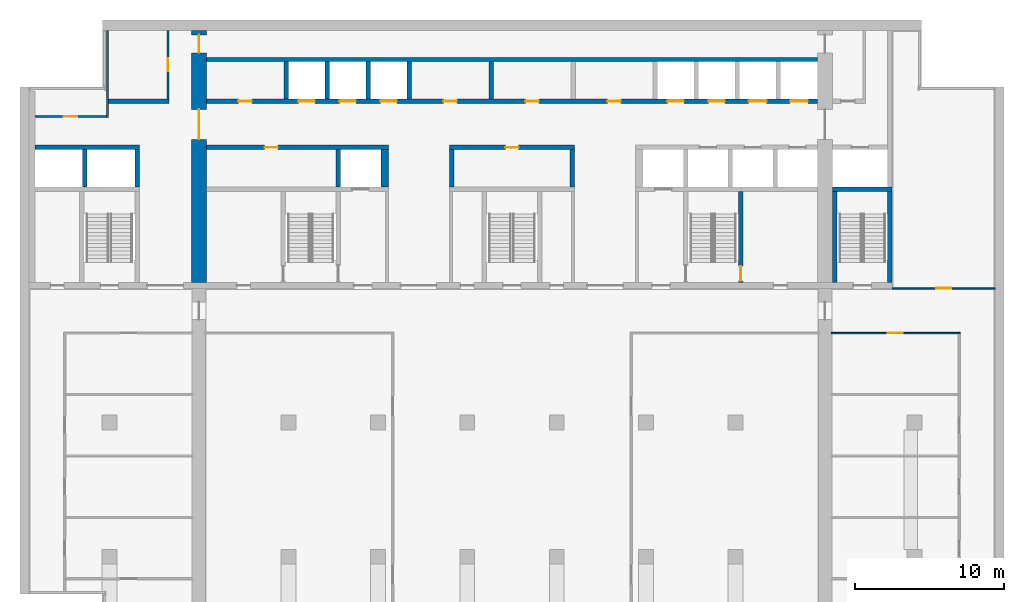
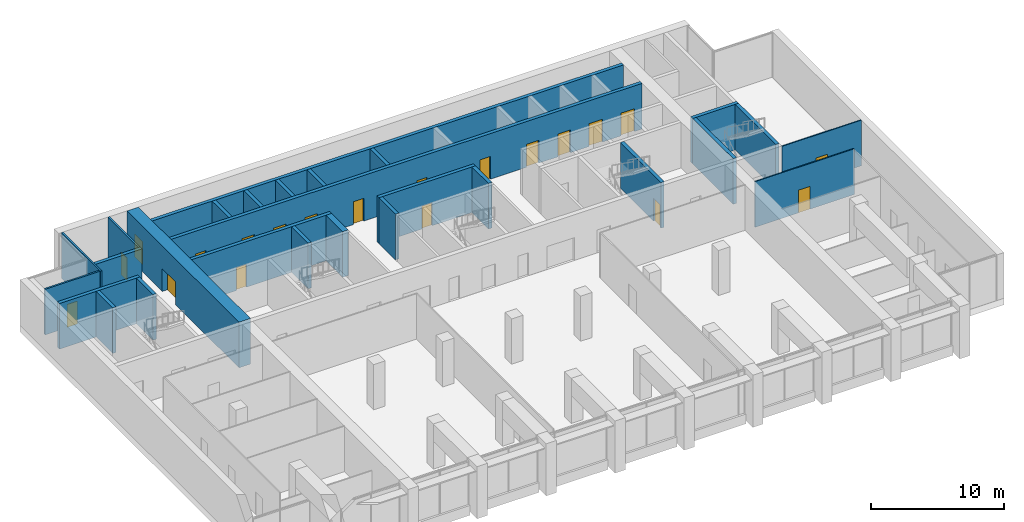
# One storey, part 8 of 13: 27 walls, 20 doors, 20 openings.
"""IFC4 building model written with IfcOpenShell, lengths in metres."""

from ifc_helpers import new_model, si_unit, direction, frame, frame_2d, origin, place, context, subcontext, project, spatial, rectangle, extrude, material, layer, layer_set, type_object, element, fill, save


model = new_model("IFC4")

# Units and contexts
model_context = context("Model", 3, precision=1e-05, world=origin(), true_north=direction((0.0, 1.0)))
body_context = subcontext(model_context, "Body", "Model", "MODEL_VIEW")
ifc_project = project(units=[si_unit("LENGTHUNIT", "METRE"), si_unit("AREAUNIT", "SQUARE_METRE"), si_unit("VOLUMEUNIT", "CUBIC_METRE"), si_unit("PLANEANGLEUNIT", "RADIAN"), si_unit("MASSUNIT", "GRAM", prefix="KILO")], contexts=[model_context])

# Site, building, storey
site_placement = place(None, origin())
site = spatial("IfcSite", under=ifc_project, at=site_placement, CompositionType="ELEMENT")
building_placement = place(site_placement, origin())
building = spatial("IfcBuilding", under=site, at=building_placement, Name="Calvaro Tower", CompositionType="ELEMENT")
storey_placement = place(building_placement, frame((0.0, 0.0, 226.75)))
storey = spatial("IfcBuildingStorey", under=building, at=storey_placement, Name="L57", CompositionType="ELEMENT", Elevation=226.75)

# Wall, opening, door
ifc_material_1 = material(Name="Blockwork partition", Category="masonry")
ifc_layer_1 = layer(ifc_material_1, 0.14990234375)
ifc_layer_set_1 = layer_set([ifc_layer_1], Name="Blockwork partition")
wall_type_1 = type_object("IfcWallType", Name="Core partition 150 REI 120", PredefinedType="PARTITIONING", material=ifc_layer_set_1)
wall_1_placement = place(storey_placement, frame((15.925048828125, 45.300048828125, 0.0), z_axis=(0.0, 0.0, 1.0), x_axis=(0.0, -1.0, 0.0)))
wall_1 = element("IfcWall", 1, at=wall_1_placement, inside=storey, type_object=wall_type_1, Name="Core partition", PredefinedType="PARTITIONING", context=body_context, shape_type="SweptSolid", body=[
    extrude(rectangle(XDim=4.60009765625, YDim=0.14990234375, at=frame_2d((2.300048828125, 0.0))), origin(), (0.0, 0.0, 1.0), 4.199951171875),
])
opening_1_placement = place(wall_1_placement, frame((1.85009765625, 0.0, 0.0)))
opening_1 = element("IfcOpeningElement", 2, at=opening_1_placement, cuts=wall_1, Name="Opening RD9E", PredefinedType="OPENING", context=body_context, shape_type="SweptSolid", body=[
    extrude(rectangle(XDim=0.89990234375, YDim=2.10009765625, at=frame_2d((0.449951171875, 1.050048828125))), frame((0.0, 0.0849609375, 0.0), z_axis=(0.0, -1.0, 0.0), x_axis=(1.0, 0.0, 0.0)), (0.0, 0.0, 1.0), 0.169921875),
])
ifc_material_2 = material(Name="Steel door set", Category="steel")
door_type_1 = type_object("IfcDoorType", Name="Room door 900 FD60", OperationType="SINGLE_SWING_LEFT", PredefinedType="DOOR", material=ifc_material_2)
door_1_placement = place(opening_1_placement, origin())
door_1 = element("IfcDoor", 3, at=door_1_placement, inside=storey, type_object=door_type_1, Name="Room door", OperationType="SINGLE_SWING_RIGHT", OverallHeight=2.10009765625, OverallWidth=0.89990234375, PredefinedType="DOOR", context=body_context, shape_type="SweptSolid", body=[
    extrude(rectangle(XDim=0.89990234375, YDim=2.10009765625, at=frame_2d((0.449951171875, 1.050048828125))), frame((0.0, 0.02490234375, 0.0), z_axis=(0.0, -1.0, 0.0), x_axis=(1.0, 0.0, 0.0)), (0.0, 0.0, 1.0), 0.050048828125),
])
fill(opening_1, door_1)

# Wall
wall_2_placement = place(storey_placement, frame((11.875, 39.449951171875, 0.0), z_axis=(0.0, 0.0, 1.0), x_axis=(0.0, 1.0, 0.0)))
element("IfcWall", 4, at=wall_2_placement, inside=storey, type_object=wall_type_1, Name="Core partition", PredefinedType="PARTITIONING", context=body_context, shape_type="SweptSolid", body=[
    extrude(rectangle(XDim=5.85009765625, YDim=0.14990234375, at=frame_2d((2.925048828125, 0.0))), origin(), (0.0, 0.0, 1.0), 4.199951171875),
])

# Wall, opening, door
wall_3_placement = place(storey_placement, frame((7.0, 39.52490234375, 0.0), z_axis=(0.0, 0.0, 1.0), x_axis=(1.0, 0.0, 0.0)))
wall_3 = element("IfcWall", 5, at=wall_3_placement, inside=storey, type_object=wall_type_1, Name="Core partition", PredefinedType="PARTITIONING", context=body_context, shape_type="SweptSolid", body=[
    extrude(rectangle(XDim=4.800048828125, YDim=0.14990234375, at=frame_2d((2.39990234375, 0.0))), origin(), (0.0, 0.0, 1.0), 4.199951171875),
])
opening_2_placement = place(wall_3_placement, frame((1.949951171875, 0.0, 0.0)))
opening_2 = element("IfcOpeningElement", 6, at=opening_2_placement, cuts=wall_3, Name="Opening RD9E", PredefinedType="OPENING", context=body_context, shape_type="SweptSolid", body=[
    extrude(rectangle(XDim=0.89990234375, YDim=2.10009765625, at=frame_2d((0.449951171875, 1.050048828125))), frame((0.0, 0.0849609375, 0.0), z_axis=(0.0, -1.0, 0.0), x_axis=(1.0, 0.0, 0.0)), (0.0, 0.0, 1.0), 0.169921875),
])
door_2_placement = place(opening_2_placement, origin())
door_2 = element("IfcDoor", 7, at=door_2_placement, inside=storey, type_object=door_type_1, Name="Room door", OperationType="SINGLE_SWING_LEFT", OverallHeight=2.10009765625, OverallWidth=0.89990234375, PredefinedType="DOOR", context=body_context, shape_type="SweptSolid", body=[
    extrude(rectangle(XDim=0.89990234375, YDim=2.10009765625, at=frame_2d((0.449951171875, 1.050048828125))), frame((0.0, 0.02490234375, 0.0), z_axis=(0.0, -1.0, 0.0), x_axis=(1.0, 0.0, 0.0)), (0.0, 0.0, 1.0), 0.050048828125),
])
fill(opening_2, door_2)

# Walls
ifc_material_3 = material(Name="Blockwork partition", Category="masonry")
ifc_layer_2 = layer(ifc_material_3, 0.300048828125)
ifc_layer_set_2 = layer_set([ifc_layer_2], Name="Blockwork partition")
wall_type_2 = type_object("IfcWallType", Name="Core partition 300 REI 120", PredefinedType="PARTITIONING", material=ifc_layer_set_2)
wall_4_placement = place(storey_placement, frame((11.949951171875, 40.550048828125, 0.0), z_axis=(0.0, 0.0, 1.0), x_axis=(1.0, 0.0, 0.0)))
element("IfcWall", 8, at=wall_4_placement, inside=storey, type_object=wall_type_2, Name="Core partition", PredefinedType="PARTITIONING", context=body_context, shape_type="SweptSolid", body=[
    extrude(rectangle(XDim=4.050048828125, YDim=0.300048828125, at=frame_2d((2.02490234375, 0.0))), origin(), (0.0, 0.0, 1.0), 4.199951171875),
])
wall_5_placement = place(storey_placement, frame((37.60009765625, 40.699951171875, 0.0), z_axis=(0.0, 0.0, 1.0), x_axis=(0.0, 1.0, 0.0)))
element("IfcWall", 9, at=wall_5_placement, inside=storey, type_object=wall_type_2, Name="Core partition", PredefinedType="PARTITIONING", context=body_context, shape_type="SweptSolid", body=[
    extrude(rectangle(XDim=2.5, YDim=0.300048828125, at=frame_2d((1.25, 0.0))), origin(), (0.0, 0.0, 1.0), 4.199951171875),
])

# Wall, openings, doors
ifc_material_4 = material(Name="Concrete C50/60", Category="concrete")
ifc_layer_3 = layer(ifc_material_4, 1.0)
ifc_layer_set_3 = layer_set([ifc_layer_3], Name="Concrete C50/60")
wall_type_3 = type_object("IfcWallType", Name="Core wall C50/60 1000", PredefinedType="SHEAR", material=ifc_layer_set_3)
wall_6_placement = place(storey_placement, frame((18.0, 28.39990234375, 0.0), z_axis=(0.0, 0.0, 1.0), x_axis=(0.0, 1.0, 0.0)))
wall_6 = element("IfcWall", 10, at=wall_6_placement, inside=storey, type_object=wall_type_3, Name="Core wall, cross shear wall", PredefinedType="SHEAR", context=body_context, shape_type="SweptSolid", body=[
    extrude(rectangle(XDim=16.900146484375, YDim=1.0, at=frame_2d((8.4501953125, 0.0))), origin(), (0.0, 0.0, 1.0), 4.199951171875),
])
opening_3_placement = place(wall_6_placement, frame((9.60009765625, 0.0, 0.0)))
opening_3 = element("IfcOpeningElement", 11, at=opening_3_placement, cuts=wall_6, Name="Opening DD20D", PredefinedType="OPENING", context=body_context, shape_type="SweptSolid", body=[
    extrude(rectangle(XDim=2.0, YDim=2.10009765625, at=frame_2d((1.0, 1.050048828125))), frame((0.0, 0.510009765625, 0.0), z_axis=(0.0, -1.0, 0.0), x_axis=(1.0, 0.0, 0.0)), (0.0, 0.0, 1.0), 1.02001953125),
])
opening_4_placement = place(wall_6_placement, frame((15.39990234375, 0.0, 0.0)))
opening_4 = element("IfcOpeningElement", 12, at=opening_4_placement, cuts=wall_6, Name="Opening FD12C", PredefinedType="OPENING", context=body_context, shape_type="SweptSolid", body=[
    extrude(rectangle(XDim=1.199951171875, YDim=2.10009765625, at=frame_2d((0.60009765625, 1.050048828125))), frame((0.0, 0.510009765625, 0.0), z_axis=(0.0, -1.0, 0.0), x_axis=(1.0, 0.0, 0.0)), (0.0, 0.0, 1.0), 1.02001953125),
])
ifc_material_5 = material(Name="Steel door set", Category="steel")
door_type_2 = type_object("IfcDoorType", Name="Fire door 1200 FD30", OperationType="SINGLE_SWING_LEFT", PredefinedType="DOOR", material=ifc_material_5)
door_3_placement = place(opening_4_placement, origin())
door_3 = element("IfcDoor", 13, at=door_3_placement, inside=storey, type_object=door_type_2, Name="Fire door", OperationType="SINGLE_SWING_LEFT", OverallHeight=2.10009765625, OverallWidth=1.199951171875, PredefinedType="DOOR", context=body_context, shape_type="SweptSolid", body=[
    extrude(rectangle(XDim=1.199951171875, YDim=2.10009765625, at=frame_2d((0.60009765625, 1.050048828125))), frame((0.0, 0.02490234375, 0.0), z_axis=(0.0, -1.0, 0.0), x_axis=(1.0, 0.0, 0.0)), (0.0, 0.0, 1.0), 0.050048828125),
])
fill(opening_4, door_3)
ifc_material_6 = material(Name="Steel door set", Category="steel")
door_type_3 = type_object("IfcDoorType", Name="Lobby double door 2000 FD30S", OperationType="DOUBLE_DOOR_SINGLE_SWING", PredefinedType="DOOR", material=ifc_material_6)
door_4_placement = place(opening_3_placement, origin())
door_4 = element("IfcDoor", 14, at=door_4_placement, inside=storey, type_object=door_type_3, Name="Lobby double door", OperationType="DOUBLE_DOOR_SINGLE_SWING", OverallHeight=2.10009765625, OverallWidth=2.0, PredefinedType="DOOR", context=body_context, shape_type="SweptSolid", body=[
    extrude(rectangle(XDim=2.0, YDim=2.10009765625, at=frame_2d((1.0, 1.050048828125))), frame((0.0, 0.02490234375, 0.0), z_axis=(0.0, -1.0, 0.0), x_axis=(1.0, 0.0, 0.0)), (0.0, 0.0, 1.0), 0.050048828125),
])
fill(opening_3, door_4)

# Wall, opening, door
ifc_material_7 = material(Name="Concrete C50/60", Category="concrete")
ifc_layer_4 = layer(ifc_material_7, 0.300048828125)
ifc_layer_set_4 = layer_set([ifc_layer_4], Name="Concrete C50/60")
wall_type_4 = type_object("IfcWallType", Name="Core wall C50/60 300", PredefinedType="SHEAR", material=ifc_layer_set_4)
wall_7_placement = place(storey_placement, frame((54.35009765625, 28.39990234375, 0.0), z_axis=(0.0, 0.0, 1.0), x_axis=(0.0, 1.0, 0.0)))
wall_7 = element("IfcWall", 15, at=wall_7_placement, inside=storey, type_object=wall_type_4, Name="Core wall, stair enclosure", PredefinedType="SHEAR", context=body_context, shape_type="SweptSolid", body=[
    extrude(rectangle(XDim=6.10009765625, YDim=0.300048828125, at=frame_2d((3.050048828125, 0.0))), origin(), (0.0, 0.0, 1.0), 4.199951171875),
])
opening_5_placement = place(wall_7_placement, frame((0.10009765625, 0.0, 0.0)))
opening_5 = element("IfcOpeningElement", 16, at=opening_5_placement, cuts=wall_7, Name="Opening FD10D", PredefinedType="OPENING", context=body_context, shape_type="SweptSolid", body=[
    extrude(rectangle(XDim=1.0, YDim=2.10009765625, at=frame_2d((0.5, 1.050048828125))), frame((0.0, 0.159912109375, 0.0), z_axis=(0.0, -1.0, 0.0), x_axis=(1.0, 0.0, 0.0)), (0.0, 0.0, 1.0), 0.320068359375),
])
ifc_material_8 = material(Name="Steel door set", Category="steel")
door_type_4 = type_object("IfcDoorType", Name="Fire door 1000 FD30S", OperationType="SINGLE_SWING_LEFT", PredefinedType="DOOR", material=ifc_material_8)
door_5_placement = place(opening_5_placement, origin())
door_5 = element("IfcDoor", 17, at=door_5_placement, inside=storey, type_object=door_type_4, Name="Fire door", OperationType="SINGLE_SWING_LEFT", OverallHeight=2.10009765625, OverallWidth=1.0, PredefinedType="DOOR", context=body_context, shape_type="SweptSolid", body=[
    extrude(rectangle(XDim=1.0, YDim=2.10009765625, at=frame_2d((0.5, 1.050048828125))), frame((0.0, 0.02490234375, 0.0), z_axis=(0.0, -1.0, 0.0), x_axis=(1.0, 0.0, 0.0)), (0.0, 0.0, 1.0), 0.050048828125),
])
fill(opening_5, door_5)

# Walls
for number, where, z_axis, x_axis, name in (
    (18, (60.64990234375, 28.39990234375, 0.0), (0.0, 0.0, 1.0), (0.0, 1.0, 0.0), "Core wall, stair enclosure"),
    (19, (64.35009765625, 28.39990234375, 0.0), (0.0, 0.0, 1.0), (0.0, 1.0, 0.0), "Core wall, stair enclosure"),
):
    element("IfcWall", number, at=place(storey_placement, frame(where, z_axis=z_axis, x_axis=x_axis)), inside=storey, type_object=wall_type_4, Name=name, PredefinedType="SHEAR", context=body_context, shape_type="SweptSolid", body=[
        extrude(rectangle(XDim=6.10009765625, YDim=0.300048828125, at=frame_2d((3.050048828125, 0.0))), origin(), (0.0, 0.0, 1.0), 4.199951171875),
    ])
wall_8_placement = place(storey_placement, frame((60.5, 34.64990234375, 0.0), z_axis=(0.0, 0.0, 1.0), x_axis=(1.0, 0.0, 0.0)))
element("IfcWall", 20, at=wall_8_placement, inside=storey, type_object=wall_type_4, Name="Core wall, lift shaft", PredefinedType="SHEAR", context=body_context, shape_type="SweptSolid", body=[
    extrude(rectangle(XDim=4.0, YDim=0.300048828125, at=frame_2d((2.0, 0.0))), origin(), (0.0, 0.0, 1.0), 4.199951171875),
])
wall_9_placement = place(storey_placement, frame((7.0, 37.449951171875, 0.0), z_axis=(0.0, 0.0, 1.0), x_axis=(1.0, 0.0, 0.0)))
element("IfcWall", 21, at=wall_9_placement, inside=storey, type_object=wall_type_4, Name="Core wall, lift shaft", PredefinedType="SHEAR", context=body_context, shape_type="SweptSolid", body=[
    extrude(rectangle(XDim=7.0, YDim=0.300048828125, at=frame_2d((3.5, 0.0))), origin(), (0.0, 0.0, 1.0), 4.199951171875),
])

# Wall, opening, door
wall_10_placement = place(storey_placement, frame((30.699951171875, 37.449951171875, 0.0), z_axis=(0.0, 0.0, 1.0), x_axis=(-1.0, 0.0, 0.0)))
wall_10 = element("IfcWall", 22, at=wall_10_placement, inside=storey, type_object=wall_type_4, Name="Core wall, bay", PredefinedType="SHEAR", context=body_context, shape_type="SweptSolid", body=[
    extrude(rectangle(XDim=12.199951171875, YDim=0.300048828125, at=frame_2d((6.10009765625, 0.0))), origin(), (0.0, 0.0, 1.0), 4.199951171875),
])
opening_6_placement = place(wall_10_placement, frame((7.39990234375, 0.0, 0.0)))
opening_6 = element("IfcOpeningElement", 23, at=opening_6_placement, cuts=wall_10, Name="Opening RD9E", PredefinedType="OPENING", context=body_context, shape_type="SweptSolid", body=[
    extrude(rectangle(XDim=0.89990234375, YDim=2.10009765625, at=frame_2d((0.449951171875, 1.050048828125))), frame((0.0, 0.159912109375, 0.0), z_axis=(0.0, -1.0, 0.0), x_axis=(1.0, 0.0, 0.0)), (0.0, 0.0, 1.0), 0.320068359375),
])
door_6_placement = place(opening_6_placement, origin())
door_6 = element("IfcDoor", 24, at=door_6_placement, inside=storey, type_object=door_type_1, Name="Room door", OperationType="SINGLE_SWING_LEFT", OverallHeight=2.10009765625, OverallWidth=0.89990234375, PredefinedType="DOOR", context=body_context, shape_type="SweptSolid", body=[
    extrude(rectangle(XDim=0.89990234375, YDim=2.10009765625, at=frame_2d((0.449951171875, 1.050048828125))), frame((0.0, 0.02490234375, 0.0), z_axis=(0.0, -1.0, 0.0), x_axis=(1.0, 0.0, 0.0)), (0.0, 0.0, 1.0), 0.050048828125),
])
fill(opening_6, door_6)

wall_11_placement = place(storey_placement, frame((43.199951171875, 37.449951171875, 0.0), z_axis=(0.0, 0.0, 1.0), x_axis=(-1.0, 0.0, 0.0)))
wall_11 = element("IfcWall", 25, at=wall_11_placement, inside=storey, type_object=wall_type_4, Name="Core wall, bay", PredefinedType="SHEAR", context=body_context, shape_type="SweptSolid", body=[
    extrude(rectangle(XDim=8.39990234375, YDim=0.300048828125, at=frame_2d((4.199951171875, 0.0))), origin(), (0.0, 0.0, 1.0), 4.199951171875),
])
opening_7_placement = place(wall_11_placement, frame((3.75, 0.0, 0.0)))
opening_7 = element("IfcOpeningElement", 26, at=opening_7_placement, cuts=wall_11, Name="Opening RD9E", PredefinedType="OPENING", context=body_context, shape_type="SweptSolid", body=[
    extrude(rectangle(XDim=0.89990234375, YDim=2.10009765625, at=frame_2d((0.449951171875, 1.050048828125))), frame((0.0, 0.159912109375, 0.0), z_axis=(0.0, -1.0, 0.0), x_axis=(1.0, 0.0, 0.0)), (0.0, 0.0, 1.0), 0.320068359375),
])
door_7_placement = place(opening_7_placement, origin())
door_7 = element("IfcDoor", 27, at=door_7_placement, inside=storey, type_object=door_type_1, Name="Room door", OperationType="SINGLE_SWING_RIGHT", OverallHeight=2.10009765625, OverallWidth=0.89990234375, PredefinedType="DOOR", context=body_context, shape_type="SweptSolid", body=[
    extrude(rectangle(XDim=0.89990234375, YDim=2.10009765625, at=frame_2d((0.449951171875, 1.050048828125))), frame((0.0, 0.02490234375, 0.0), z_axis=(0.0, -1.0, 0.0), x_axis=(1.0, 0.0, 0.0)), (0.0, 0.0, 1.0), 0.050048828125),
])
fill(opening_7, door_7)

# Walls
for number, where, z_axis, x_axis, name in (
    (28, (27.35009765625, 34.800048828125, 0.0), (0.0, 0.0, 1.0), (0.0, 1.0, 0.0), "Core wall, lift shaft"),
    (29, (34.949951171875, 34.800048828125, 0.0), (0.0, 0.0, 1.0), (0.0, 1.0, 0.0), "Core wall, lift shaft"),
    (30, (43.050048828125, 34.800048828125, 0.0), (0.0, 0.0, 1.0), (0.0, 1.0, 0.0), "Core wall, lift shaft"),
    (31, (13.85009765625, 34.800048828125, 0.0), (0.0, 0.0, 1.0), (0.0, 1.0, 0.0), "Core wall, lift shaft"),
):
    element("IfcWall", number, at=place(storey_placement, frame(where, z_axis=z_axis, x_axis=x_axis)), inside=storey, type_object=wall_type_4, Name=name, PredefinedType="SHEAR", context=body_context, shape_type="SweptSolid", body=[
        extrude(rectangle(XDim=2.5, YDim=0.300048828125, at=frame_2d((1.25, 0.0))), origin(), (0.0, 0.0, 1.0), 4.199951171875),
    ])

# Wall, openings, doors
wall_12_placement = place(storey_placement, frame((18.5, 40.550048828125, 0.0), z_axis=(0.0, 0.0, 1.0), x_axis=(1.0, 0.0, 0.0)))
wall_12 = element("IfcWall", 32, at=wall_12_placement, inside=storey, type_object=wall_type_4, Name="Core wall, bay", PredefinedType="SHEAR", context=body_context, shape_type="SweptSolid", body=[
    extrude(rectangle(XDim=41.0, YDim=0.300048828125, at=frame_2d((20.5, 0.0))), origin(), (0.0, 0.0, 1.0), 4.199951171875),
])
opening_8_placement = place(wall_12_placement, frame((2.14990234375, 0.0, 0.0)))
opening_8 = element("IfcOpeningElement", 33, at=opening_8_placement, cuts=wall_12, Name="Opening RD9E", PredefinedType="OPENING", context=body_context, shape_type="SweptSolid", body=[
    extrude(rectangle(XDim=0.89990234375, YDim=2.10009765625, at=frame_2d((0.449951171875, 1.050048828125))), frame((0.0, 0.159912109375, 0.0), z_axis=(0.0, -1.0, 0.0), x_axis=(1.0, 0.0, 0.0)), (0.0, 0.0, 1.0), 0.320068359375),
])
opening_9_placement = place(wall_12_placement, frame((15.89990234375, 0.0, 0.0)))
opening_9 = element("IfcOpeningElement", 34, at=opening_9_placement, cuts=wall_12, Name="Opening RD9E", PredefinedType="OPENING", context=body_context, shape_type="SweptSolid", body=[
    extrude(rectangle(XDim=0.89990234375, YDim=2.10009765625, at=frame_2d((0.449951171875, 1.050048828125))), frame((0.0, 0.159912109375, 0.0), z_axis=(0.0, -1.0, 0.0), x_axis=(1.0, 0.0, 0.0)), (0.0, 0.0, 1.0), 0.320068359375),
])
opening_10_placement = place(wall_12_placement, frame((21.39990234375, 0.0, 0.0)))
opening_10 = element("IfcOpeningElement", 35, at=opening_10_placement, cuts=wall_12, Name="Opening RD9E", PredefinedType="OPENING", context=body_context, shape_type="SweptSolid", body=[
    extrude(rectangle(XDim=0.89990234375, YDim=2.10009765625, at=frame_2d((0.449951171875, 1.050048828125))), frame((0.0, 0.159912109375, 0.0), z_axis=(0.0, -1.0, 0.0), x_axis=(1.0, 0.0, 0.0)), (0.0, 0.0, 1.0), 0.320068359375),
])
opening_11_placement = place(wall_12_placement, frame((26.89990234375, 0.0, 0.0)))
opening_11 = element("IfcOpeningElement", 36, at=opening_11_placement, cuts=wall_12, Name="Opening RD9E", PredefinedType="OPENING", context=body_context, shape_type="SweptSolid", body=[
    extrude(rectangle(XDim=0.89990234375, YDim=2.10009765625, at=frame_2d((0.449951171875, 1.050048828125))), frame((0.0, 0.159912109375, 0.0), z_axis=(0.0, -1.0, 0.0), x_axis=(1.0, 0.0, 0.0)), (0.0, 0.0, 1.0), 0.320068359375),
])
opening_12_placement = place(wall_12_placement, frame((6.175048828125, 0.0, 0.0)))
opening_12 = element("IfcOpeningElement", 37, at=opening_12_placement, cuts=wall_12, Name="Opening HR4", PredefinedType="OPENING", context=body_context, shape_type="SweptSolid", body=[
    extrude(rectangle(XDim=1.10009765625, YDim=2.10009765625, at=frame_2d((0.550048828125, 1.050048828125))), frame((0.0, 0.159912109375, 0.0), z_axis=(0.0, -1.0, 0.0), x_axis=(1.0, 0.0, 0.0)), (0.0, 0.0, 1.0), 0.320068359375),
])
opening_13_placement = place(wall_12_placement, frame((8.925048828125, 0.0, 0.0)))
opening_13 = element("IfcOpeningElement", 38, at=opening_13_placement, cuts=wall_12, Name="Opening HR5", PredefinedType="OPENING", context=body_context, shape_type="SweptSolid", body=[
    extrude(rectangle(XDim=1.10009765625, YDim=2.10009765625, at=frame_2d((0.550048828125, 1.050048828125))), frame((0.0, 0.159912109375, 0.0), z_axis=(0.0, -1.0, 0.0), x_axis=(1.0, 0.0, 0.0)), (0.0, 0.0, 1.0), 0.320068359375),
])
opening_14_placement = place(wall_12_placement, frame((11.675048828125, 0.0, 0.0)))
opening_14 = element("IfcOpeningElement", 39, at=opening_14_placement, cuts=wall_12, Name="Opening HR6", PredefinedType="OPENING", context=body_context, shape_type="SweptSolid", body=[
    extrude(rectangle(XDim=1.10009765625, YDim=2.10009765625, at=frame_2d((0.550048828125, 1.050048828125))), frame((0.0, 0.159912109375, 0.0), z_axis=(0.0, -1.0, 0.0), x_axis=(1.0, 0.0, 0.0)), (0.0, 0.0, 1.0), 0.320068359375),
])
opening_15_placement = place(wall_12_placement, frame((30.925048828125, 0.0, 0.0)))
opening_15 = element("IfcOpeningElement", 40, at=opening_15_placement, cuts=wall_12, Name="Opening HR7", PredefinedType="OPENING", context=body_context, shape_type="SweptSolid", body=[
    extrude(rectangle(XDim=1.10009765625, YDim=2.10009765625, at=frame_2d((0.550048828125, 1.050048828125))), frame((0.0, 0.159912109375, 0.0), z_axis=(0.0, -1.0, 0.0), x_axis=(1.0, 0.0, 0.0)), (0.0, 0.0, 1.0), 0.320068359375),
])
opening_16_placement = place(wall_12_placement, frame((33.675048828125, 0.0, 0.0)))
opening_16 = element("IfcOpeningElement", 41, at=opening_16_placement, cuts=wall_12, Name="Opening HR8", PredefinedType="OPENING", context=body_context, shape_type="SweptSolid", body=[
    extrude(rectangle(XDim=1.10009765625, YDim=2.10009765625, at=frame_2d((0.550048828125, 1.050048828125))), frame((0.0, 0.159912109375, 0.0), z_axis=(0.0, -1.0, 0.0), x_axis=(1.0, 0.0, 0.0)), (0.0, 0.0, 1.0), 0.320068359375),
])
opening_17_placement = place(wall_12_placement, frame((36.375, 0.0, 0.0)))
opening_17 = element("IfcOpeningElement", 42, at=opening_17_placement, cuts=wall_12, Name="Opening SV1", PredefinedType="OPENING", context=body_context, shape_type="SweptSolid", body=[
    extrude(rectangle(XDim=1.199951171875, YDim=2.10009765625, at=frame_2d((0.60009765625, 1.050048828125))), frame((0.0, 0.159912109375, 0.0), z_axis=(0.0, -1.0, 0.0), x_axis=(1.0, 0.0, 0.0)), (0.0, 0.0, 1.0), 0.320068359375),
])
opening_18_placement = place(wall_12_placement, frame((39.14990234375, 0.0, 0.0)))
opening_18 = element("IfcOpeningElement", 43, at=opening_18_placement, cuts=wall_12, Name="Opening SV2", PredefinedType="OPENING", context=body_context, shape_type="SweptSolid", body=[
    extrude(rectangle(XDim=1.199951171875, YDim=2.10009765625, at=frame_2d((0.60009765625, 1.050048828125))), frame((0.0, 0.159912109375, 0.0), z_axis=(0.0, -1.0, 0.0), x_axis=(1.0, 0.0, 0.0)), (0.0, 0.0, 1.0), 0.320068359375),
])
ifc_material_9 = material(Name="Stainless steel", Category="steel")
door_type_5 = type_object("IfcDoorType", Name="Landing door 1100 E 60", OperationType="SLIDING_TO_LEFT", PredefinedType="DOOR", material=ifc_material_9)
door_8_placement = place(opening_12_placement, origin())
door_8 = element("IfcDoor", 44, at=door_8_placement, inside=storey, type_object=door_type_5, Name="Landing door HR4", OperationType="SLIDING_TO_LEFT", OverallHeight=2.10009765625, OverallWidth=1.10009765625, PredefinedType="DOOR", context=body_context, shape_type="SweptSolid", body=[
    extrude(rectangle(XDim=1.10009765625, YDim=2.10009765625, at=frame_2d((0.550048828125, 1.050048828125))), frame((0.0, 0.02490234375, 0.0), z_axis=(0.0, -1.0, 0.0), x_axis=(1.0, 0.0, 0.0)), (0.0, 0.0, 1.0), 0.050048828125),
])
fill(opening_12, door_8)
door_9_placement = place(opening_13_placement, origin())
door_9 = element("IfcDoor", 45, at=door_9_placement, inside=storey, type_object=door_type_5, Name="Landing door HR5", OperationType="SLIDING_TO_LEFT", OverallHeight=2.10009765625, OverallWidth=1.10009765625, PredefinedType="DOOR", context=body_context, shape_type="SweptSolid", body=[
    extrude(rectangle(XDim=1.10009765625, YDim=2.10009765625, at=frame_2d((0.550048828125, 1.050048828125))), frame((0.0, 0.02490234375, 0.0), z_axis=(0.0, -1.0, 0.0), x_axis=(1.0, 0.0, 0.0)), (0.0, 0.0, 1.0), 0.050048828125),
])
fill(opening_13, door_9)
door_10_placement = place(opening_14_placement, origin())
door_10 = element("IfcDoor", 46, at=door_10_placement, inside=storey, type_object=door_type_5, Name="Landing door HR6", OperationType="SLIDING_TO_LEFT", OverallHeight=2.10009765625, OverallWidth=1.10009765625, PredefinedType="DOOR", context=body_context, shape_type="SweptSolid", body=[
    extrude(rectangle(XDim=1.10009765625, YDim=2.10009765625, at=frame_2d((0.550048828125, 1.050048828125))), frame((0.0, 0.02490234375, 0.0), z_axis=(0.0, -1.0, 0.0), x_axis=(1.0, 0.0, 0.0)), (0.0, 0.0, 1.0), 0.050048828125),
])
fill(opening_14, door_10)
door_11_placement = place(opening_15_placement, origin())
door_11 = element("IfcDoor", 47, at=door_11_placement, inside=storey, type_object=door_type_5, Name="Landing door HR7", OperationType="SLIDING_TO_LEFT", OverallHeight=2.10009765625, OverallWidth=1.10009765625, PredefinedType="DOOR", context=body_context, shape_type="SweptSolid", body=[
    extrude(rectangle(XDim=1.10009765625, YDim=2.10009765625, at=frame_2d((0.550048828125, 1.050048828125))), frame((0.0, 0.02490234375, 0.0), z_axis=(0.0, -1.0, 0.0), x_axis=(1.0, 0.0, 0.0)), (0.0, 0.0, 1.0), 0.050048828125),
])
fill(opening_15, door_11)
door_12_placement = place(opening_16_placement, origin())
door_12 = element("IfcDoor", 48, at=door_12_placement, inside=storey, type_object=door_type_5, Name="Landing door HR8", OperationType="SLIDING_TO_LEFT", OverallHeight=2.10009765625, OverallWidth=1.10009765625, PredefinedType="DOOR", context=body_context, shape_type="SweptSolid", body=[
    extrude(rectangle(XDim=1.10009765625, YDim=2.10009765625, at=frame_2d((0.550048828125, 1.050048828125))), frame((0.0, 0.02490234375, 0.0), z_axis=(0.0, -1.0, 0.0), x_axis=(1.0, 0.0, 0.0)), (0.0, 0.0, 1.0), 0.050048828125),
])
fill(opening_16, door_12)
ifc_material_10 = material(Name="Stainless steel", Category="steel")
door_type_6 = type_object("IfcDoorType", Name="Landing door 1200 E 60", OperationType="SLIDING_TO_LEFT", PredefinedType="DOOR", material=ifc_material_10)
door_13_placement = place(opening_17_placement, origin())
door_13 = element("IfcDoor", 49, at=door_13_placement, inside=storey, type_object=door_type_6, Name="Landing door SV1", OperationType="SLIDING_TO_LEFT", OverallHeight=2.10009765625, OverallWidth=1.199951171875, PredefinedType="DOOR", context=body_context, shape_type="SweptSolid", body=[
    extrude(rectangle(XDim=1.199951171875, YDim=2.10009765625, at=frame_2d((0.60009765625, 1.050048828125))), frame((0.0, 0.02490234375, 0.0), z_axis=(0.0, -1.0, 0.0), x_axis=(1.0, 0.0, 0.0)), (0.0, 0.0, 1.0), 0.050048828125),
])
fill(opening_17, door_13)
door_14_placement = place(opening_18_placement, origin())
door_14 = element("IfcDoor", 50, at=door_14_placement, inside=storey, type_object=door_type_6, Name="Landing door SV2", OperationType="SLIDING_TO_LEFT", OverallHeight=2.10009765625, OverallWidth=1.199951171875, PredefinedType="DOOR", context=body_context, shape_type="SweptSolid", body=[
    extrude(rectangle(XDim=1.199951171875, YDim=2.10009765625, at=frame_2d((0.60009765625, 1.050048828125))), frame((0.0, 0.02490234375, 0.0), z_axis=(0.0, -1.0, 0.0), x_axis=(1.0, 0.0, 0.0)), (0.0, 0.0, 1.0), 0.050048828125),
])
fill(opening_18, door_14)
door_15_placement = place(opening_8_placement, origin())
door_15 = element("IfcDoor", 51, at=door_15_placement, inside=storey, type_object=door_type_1, Name="Room door", OperationType="SINGLE_SWING_RIGHT", OverallHeight=2.10009765625, OverallWidth=0.89990234375, PredefinedType="DOOR", context=body_context, shape_type="SweptSolid", body=[
    extrude(rectangle(XDim=0.89990234375, YDim=2.10009765625, at=frame_2d((0.449951171875, 1.050048828125))), frame((0.0, 0.02490234375, 0.0), z_axis=(0.0, -1.0, 0.0), x_axis=(1.0, 0.0, 0.0)), (0.0, 0.0, 1.0), 0.050048828125),
])
fill(opening_8, door_15)
door_16_placement = place(opening_9_placement, origin())
door_16 = element("IfcDoor", 52, at=door_16_placement, inside=storey, type_object=door_type_1, Name="Room door", OperationType="SINGLE_SWING_LEFT", OverallHeight=2.10009765625, OverallWidth=0.89990234375, PredefinedType="DOOR", context=body_context, shape_type="SweptSolid", body=[
    extrude(rectangle(XDim=0.89990234375, YDim=2.10009765625, at=frame_2d((0.449951171875, 1.050048828125))), frame((0.0, 0.02490234375, 0.0), z_axis=(0.0, -1.0, 0.0), x_axis=(1.0, 0.0, 0.0)), (0.0, 0.0, 1.0), 0.050048828125),
])
fill(opening_9, door_16)
door_17_placement = place(opening_10_placement, origin())
door_17 = element("IfcDoor", 53, at=door_17_placement, inside=storey, type_object=door_type_1, Name="Room door", OperationType="SINGLE_SWING_LEFT", OverallHeight=2.10009765625, OverallWidth=0.89990234375, PredefinedType="DOOR", context=body_context, shape_type="SweptSolid", body=[
    extrude(rectangle(XDim=0.89990234375, YDim=2.10009765625, at=frame_2d((0.449951171875, 1.050048828125))), frame((0.0, 0.02490234375, 0.0), z_axis=(0.0, -1.0, 0.0), x_axis=(1.0, 0.0, 0.0)), (0.0, 0.0, 1.0), 0.050048828125),
])
fill(opening_10, door_17)
door_18_placement = place(opening_11_placement, origin())
door_18 = element("IfcDoor", 54, at=door_18_placement, inside=storey, type_object=door_type_1, Name="Room door", OperationType="SINGLE_SWING_LEFT", OverallHeight=2.10009765625, OverallWidth=0.89990234375, PredefinedType="DOOR", context=body_context, shape_type="SweptSolid", body=[
    extrude(rectangle(XDim=0.89990234375, YDim=2.10009765625, at=frame_2d((0.449951171875, 1.050048828125))), frame((0.0, 0.02490234375, 0.0), z_axis=(0.0, -1.0, 0.0), x_axis=(1.0, 0.0, 0.0)), (0.0, 0.0, 1.0), 0.050048828125),
])
fill(opening_11, door_18)

# Walls
wall_13_placement = place(storey_placement, frame((18.5, 43.35009765625, 0.0), z_axis=(0.0, 0.0, 1.0), x_axis=(1.0, 0.0, 0.0)))
element("IfcWall", 55, at=wall_13_placement, inside=storey, type_object=wall_type_4, Name="Core wall, lift shaft", PredefinedType="SHEAR", context=body_context, shape_type="SweptSolid", body=[
    extrude(rectangle(XDim=41.0, YDim=0.300048828125, at=frame_2d((20.5, 0.0))), origin(), (0.0, 0.0, 1.0), 4.199951171875),
])
for number, where, z_axis, x_axis, name in (
    (56, (23.85009765625, 40.699951171875, 0.0), (0.0, 0.0, 1.0), (0.0, 1.0, 0.0), "Core wall, lift shaft"),
    (57, (26.60009765625, 40.699951171875, 0.0), (0.0, 0.0, 1.0), (0.0, 1.0, 0.0), "Core wall, lift shaft"),
    (58, (29.35009765625, 40.699951171875, 0.0), (0.0, 0.0, 1.0), (0.0, 1.0, 0.0), "Core wall, lift shaft"),
    (59, (32.10009765625, 40.699951171875, 0.0), (0.0, 0.0, 1.0), (0.0, 1.0, 0.0), "Core wall, lift shaft"),
    (60, (10.35009765625, 34.800048828125, 0.0), (0.0, 0.0, 1.0), (0.0, 1.0, 0.0), "Core wall, lift shaft"),
):
    element("IfcWall", number, at=place(storey_placement, frame(where, z_axis=z_axis, x_axis=x_axis)), inside=storey, type_object=wall_type_4, Name=name, PredefinedType="SHEAR", context=body_context, shape_type="SweptSolid", body=[
        extrude(rectangle(XDim=2.5, YDim=0.300048828125, at=frame_2d((1.25, 0.0))), origin(), (0.0, 0.0, 1.0), 4.199951171875),
    ])
ifc_material_11 = material(Name="Concrete C50/60", Category="concrete")
ifc_layer_5 = layer(ifc_material_11, 0.5)
ifc_layer_set_5 = layer_set([ifc_layer_5], Name="Concrete C50/60")
wall_type_5 = type_object("IfcWallType", Name="Core wall C50/60 500", PredefinedType="SHEAR", material=ifc_layer_set_5)
wall_14_placement = place(storey_placement, frame((30.449951171875, 34.800048828125, 0.0), z_axis=(0.0, 0.0, 1.0), x_axis=(0.0, 1.0, 0.0)))
element("IfcWall", 61, at=wall_14_placement, inside=storey, type_object=wall_type_5, Name="Core wall, lift shaft", PredefinedType="SHEAR", context=body_context, shape_type="SweptSolid", body=[
    extrude(rectangle(XDim=2.5, YDim=0.5, at=frame_2d((1.25, 0.0))), origin(), (0.0, 0.0, 1.0), 4.199951171875),
])

# Wall, opening, door
ifc_material_12 = material(Name="Plasterboard on steel studs", Category="steel")
ifc_layer_6 = layer(ifc_material_12, 0.10009765625)
ifc_layer_set_6 = layer_set([ifc_layer_6], Name="Plasterboard on steel studs")
wall_type_6 = type_object("IfcWallType", Name="Partition 100 REI 120", PredefinedType="PARTITIONING", material=ifc_layer_set_6)
wall_15_placement = place(storey_placement, frame((60.39990234375, 25.0, 0.0), z_axis=(0.0, 0.0, 1.0), x_axis=(1.0, 0.0, 0.0)))
wall_15 = element("IfcWall", 62, at=wall_15_placement, inside=storey, type_object=wall_type_6, Name="Partition T33.W012", PredefinedType="PARTITIONING", context=body_context, shape_type="SweptSolid", body=[
    extrude(rectangle(XDim=8.650146484375, YDim=0.10009765625, at=frame_2d((4.3251953125, 0.0))), origin(), (0.0, 0.0, 1.0), 4.199951171875),
])
opening_19_placement = place(wall_15_placement, frame((3.800048828125, 0.0, 0.0)))
opening_19 = element("IfcOpeningElement", 63, at=opening_19_placement, cuts=wall_15, Name="Opening T33.014", PredefinedType="OPENING", context=body_context, shape_type="SweptSolid", body=[
    extrude(rectangle(XDim=1.0, YDim=2.10009765625, at=frame_2d((0.5, 1.050048828125))), frame((0.0, 0.06005859375, 0.0), z_axis=(0.0, -1.0, 0.0), x_axis=(1.0, 0.0, 0.0)), (0.0, 0.0, 1.0), 0.1201171875),
])
ifc_material_13 = material(Name="Timber", Category="wood")
door_type_7 = type_object("IfcDoorType", Name="Internal single door 1000 x 2100 FD60", OperationType="SINGLE_SWING_LEFT", PredefinedType="DOOR", material=ifc_material_13)
door_19_placement = place(opening_19_placement, origin())
door_19 = element("IfcDoor", 64, at=door_19_placement, inside=storey, type_object=door_type_7, Name="Door T33.014", OperationType="SINGLE_SWING_LEFT", OverallHeight=2.10009765625, OverallWidth=1.0, PredefinedType="DOOR", context=body_context, shape_type="SweptSolid", body=[
    extrude(rectangle(XDim=1.0, YDim=2.10009765625, at=frame_2d((0.5, 1.050048828125))), frame((0.0, 0.02490234375, 0.0), z_axis=(0.0, -1.0, 0.0), x_axis=(1.0, 0.0, 0.0)), (0.0, 0.0, 1.0), 0.050048828125),
])
fill(opening_19, door_19)

wall_16_placement = place(storey_placement, frame((64.5, 28.0, 0.0), z_axis=(0.0, 0.0, 1.0), x_axis=(1.0, 0.0, 0.0)))
wall_16 = element("IfcWall", 65, at=wall_16_placement, inside=storey, type_object=wall_type_6, Name="Partition T33.W013", PredefinedType="PARTITIONING", context=body_context, shape_type="SweptSolid", body=[
    extrude(rectangle(XDim=6.89990234375, YDim=0.10009765625, at=frame_2d((3.449951171875, 0.0))), origin(), (0.0, 0.0, 1.0), 4.199951171875),
])
opening_20_placement = place(wall_16_placement, frame((2.949951171875, 0.0, 0.0)))
opening_20 = element("IfcOpeningElement", 66, at=opening_20_placement, cuts=wall_16, Name="Opening T33.015", PredefinedType="OPENING", context=body_context, shape_type="SweptSolid", body=[
    extrude(rectangle(XDim=1.0, YDim=2.10009765625, at=frame_2d((0.5, 1.050048828125))), frame((0.0, 0.06005859375, 0.0), z_axis=(0.0, -1.0, 0.0), x_axis=(1.0, 0.0, 0.0)), (0.0, 0.0, 1.0), 0.1201171875),
])
door_20_placement = place(opening_20_placement, origin())
door_20 = element("IfcDoor", 67, at=door_20_placement, inside=storey, type_object=door_type_7, Name="Door T33.015", OperationType="SINGLE_SWING_LEFT", OverallHeight=2.10009765625, OverallWidth=1.0, PredefinedType="DOOR", context=body_context, shape_type="SweptSolid", body=[
    extrude(rectangle(XDim=1.0, YDim=2.10009765625, at=frame_2d((0.5, 1.050048828125))), frame((0.0, 0.02490234375, 0.0), z_axis=(0.0, -1.0, 0.0), x_axis=(1.0, 0.0, 0.0)), (0.0, 0.0, 1.0), 0.050048828125),
])
fill(opening_20, door_20)

save(model, "model.ifc")
